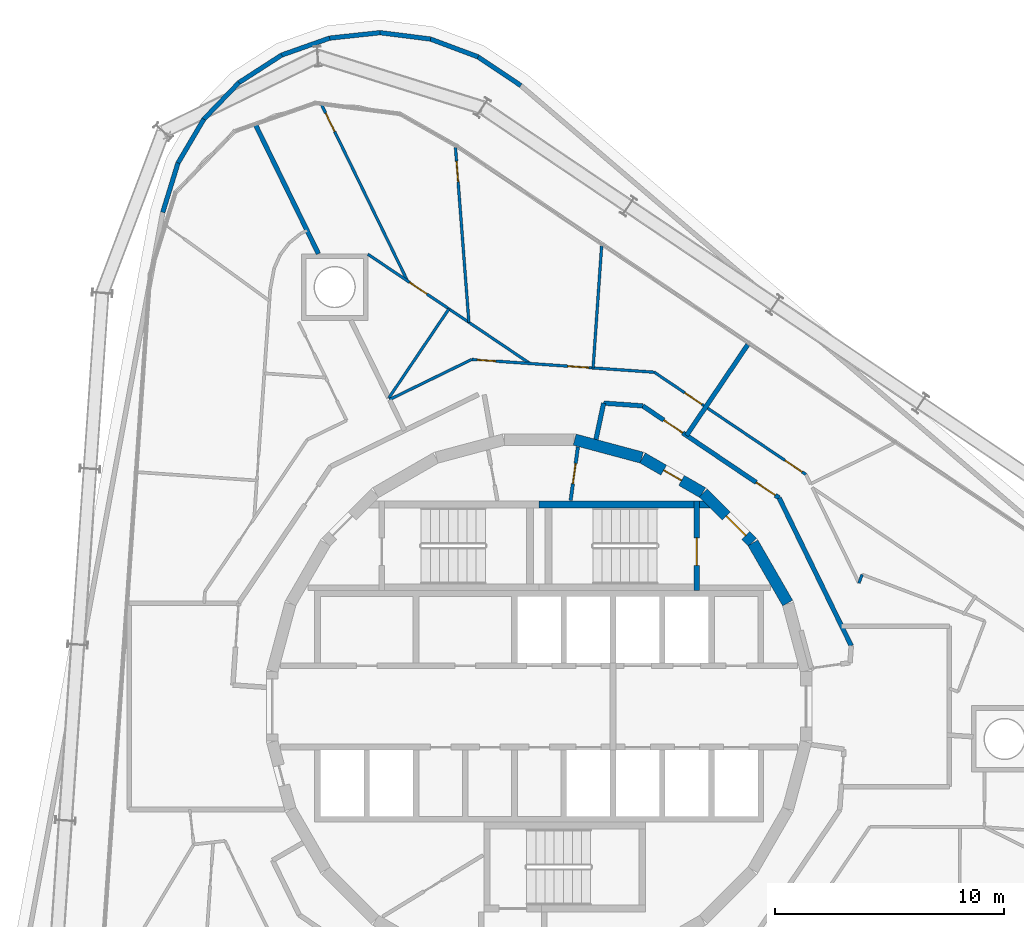
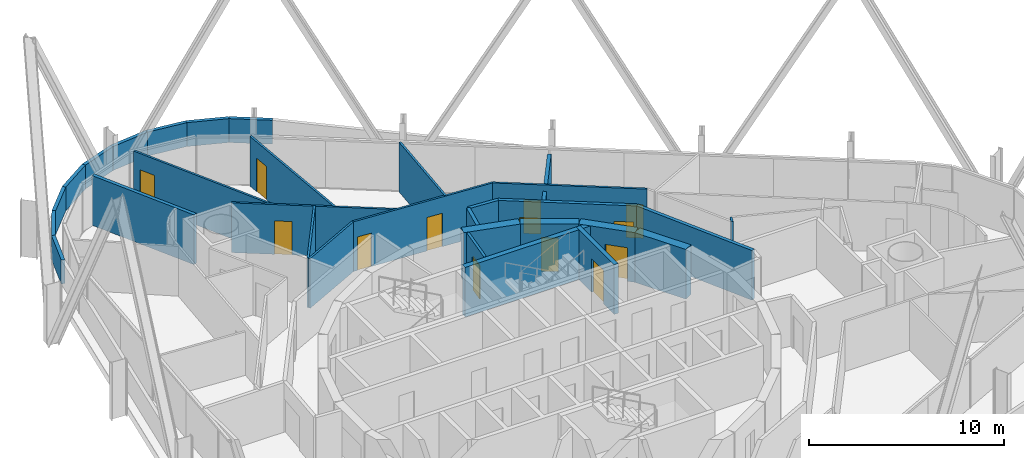
# One storey, part 16 of 18: 32 walls, 13 doors, 13 openings.
"""IFC4 building model written with IfcOpenShell, lengths in metres."""

from ifc_helpers import new_model, si_unit, direction, frame, frame_2d, origin, place, context, subcontext, project, spatial, polyline, rectangle, outline, extrude, material, layer, layer_set, type_object, element, fill, save


model = new_model("IFC4")

# Units and contexts
model_context = context("Model", 3, precision=1e-05, world=origin(), true_north=direction((0.0, 1.0)))
body_context = subcontext(model_context, "Body", "Model", "MODEL_VIEW")
ifc_project = project(units=[si_unit("LENGTHUNIT", "METRE"), si_unit("AREAUNIT", "SQUARE_METRE"), si_unit("VOLUMEUNIT", "CUBIC_METRE"), si_unit("PLANEANGLEUNIT", "RADIAN"), si_unit("MASSUNIT", "GRAM", prefix="KILO")], contexts=[model_context])

# Site, building, storey
site_placement = place(None, origin())
site = spatial("IfcSite", under=ifc_project, at=site_placement, CompositionType="ELEMENT")
building_placement = place(site_placement, origin())
building = spatial("IfcBuilding", under=site, at=building_placement, Name="Spindle Arch Residences", CompositionType="ELEMENT")
storey_placement = place(building_placement, frame((0.0, 0.0, 188.39990234375)))
storey = spatial("IfcBuildingStorey", under=building, at=storey_placement, Name="L47", CompositionType="ELEMENT", Elevation=188.39990234375)

# Wall
ifc_material_1 = material(Name="Concrete C50/60", Category="concrete")
ifc_layer_1 = layer(ifc_material_1, 0.5)
ifc_layer_set_1 = layer_set([ifc_layer_1], Name="Core outline wall 500")
wall_type_1 = type_object("IfcWallType", Name="Core outline wall 500", PredefinedType="SHEAR", material=ifc_layer_set_1)
wall_1_placement = place(storey_placement, frame((10.84521484375, 4.510498046875, 0.0), z_axis=(0.0, 0.0, 1.0), x_axis=(-0.500087131594, 0.865975092491, 0.0)))
element("IfcWall", 1, at=wall_1_placement, inside=storey, type_object=wall_type_1, Name="Core outline wall 8", PredefinedType="SHEAR", context=body_context, shape_type="SweptSolid", body=[
    extrude(rectangle(XDim=3.03271484375, YDim=0.5, at=frame_2d((1.516357421875, 0.0))), origin(), (0.0, 0.0, 1.0), 3.1201171875),
])

# Wall, opening, door
wall_2_placement = place(storey_placement, frame((9.30810546875, 7.163818359375, 0.0), z_axis=(0.0, 0.0, 1.0), x_axis=(-0.707106781187, 0.707106781187, 0.0)))
wall_2 = element("IfcWall", 2, at=wall_2_placement, inside=storey, type_object=wall_type_1, Name="Core outline wall 9", PredefinedType="SHEAR", context=body_context, shape_type="SweptSolid", body=[
    extrude(rectangle(XDim=3.032470703125, YDim=0.5, at=frame_2d((1.51611328125, 0.0))), origin(), (0.0, 0.0, 1.0), 3.1201171875),
])
opening_1_placement = place(wall_2_placement, frame((0.416259765625, 0.0, 0.0)))
opening_1 = element("IfcOpeningElement", 3, at=opening_1_placement, cuts=wall_2, Name="Opening R5A0-AD01", PredefinedType="OPENING", context=body_context, shape_type="SweptSolid", body=[
    extrude(rectangle(XDim=1.199951171875, YDim=2.10009765625, at=frame_2d((0.60009765625, 1.050048828125))), frame((0.0, 0.260009765625, 0.0), z_axis=(0.0, -1.0, 0.0), x_axis=(1.0, 0.0, 0.0)), (0.0, 0.0, 1.0), 0.52001953125),
])
ifc_material_2 = material(Name="Steel, fire-resisting door", Category="steel")
door_type_1 = type_object("IfcDoorType", Name="Stair airlock door 1200x2100", OperationType="SINGLE_SWING_LEFT", PredefinedType="DOOR", material=ifc_material_2)
door_1_placement = place(opening_1_placement, origin())
door_1 = element("IfcDoor", 4, at=door_1_placement, inside=storey, type_object=door_type_1, Name="Stair airlock door R5A0-AD01", OperationType="SINGLE_SWING_RIGHT", OverallHeight=2.10009765625, OverallWidth=1.199951171875, PredefinedType="DOOR", context=body_context, shape_type="SweptSolid", body=[
    extrude(rectangle(XDim=1.199951171875, YDim=2.10009765625, at=frame_2d((0.60009765625, 1.050048828125))), frame((0.0, 0.02490234375, 0.0), z_axis=(0.0, -1.0, 0.0), x_axis=(1.0, 0.0, 0.0)), (0.0, 0.0, 1.0), 0.050048828125),
])
fill(opening_1, door_1)

wall_3_placement = place(storey_placement, frame((7.13671875, 9.32861328125, 0.0), z_axis=(0.0, 0.0, 1.0), x_axis=(-0.865975092491, 0.500087131594, 0.0)))
wall_3 = element("IfcWall", 5, at=wall_3_placement, inside=storey, type_object=wall_type_1, Name="Core outline wall 10", PredefinedType="SHEAR", context=body_context, shape_type="SweptSolid", body=[
    extrude(rectangle(XDim=3.03271484375, YDim=0.5, at=frame_2d((1.516357421875, 0.0))), origin(), (0.0, 0.0, 1.0), 3.1201171875),
])
opening_2_placement = place(wall_3_placement, frame((1.06640625, 0.0, 0.0)))
opening_2 = element("IfcOpeningElement", 6, at=opening_2_placement, cuts=wall_3, Name="Opening R5A0-WD12", PredefinedType="OPENING", context=body_context, shape_type="SweptSolid", body=[
    extrude(rectangle(XDim=0.89990234375, YDim=2.10009765625, at=frame_2d((0.449951171875, 1.050048828125))), frame((0.0, 0.260009765625, 0.0), z_axis=(0.0, -1.0, 0.0), x_axis=(1.0, 0.0, 0.0)), (0.0, 0.0, 1.0), 0.52001953125),
])
ifc_material_3 = material(Name="Steel, fire-resisting door", Category="steel")
door_type_2 = type_object("IfcDoorType", Name="Service room door 900x2100", OperationType="SINGLE_SWING_LEFT", PredefinedType="DOOR", material=ifc_material_3)
door_2_placement = place(opening_2_placement, origin())
door_2 = element("IfcDoor", 7, at=door_2_placement, inside=storey, type_object=door_type_2, Name="Service room door R5A0-WD12", OperationType="SINGLE_SWING_RIGHT", OverallHeight=2.10009765625, OverallWidth=0.89990234375, PredefinedType="DOOR", context=body_context, shape_type="SweptSolid", body=[
    extrude(rectangle(XDim=0.89990234375, YDim=2.10009765625, at=frame_2d((0.449951171875, 1.050048828125))), frame((0.0, 0.02490234375, 0.0), z_axis=(0.0, -1.0, 0.0), x_axis=(1.0, 0.0, 0.0)), (0.0, 0.0, 1.0), 0.050048828125),
])
fill(opening_2, door_2)

# Wall
wall_4_placement = place(storey_placement, frame((4.479248046875, 10.858154296875, 0.0), z_axis=(0.0, 0.0, 1.0), x_axis=(-0.965948410781, 0.258734743916, 0.0)))
element("IfcWall", 8, at=wall_4_placement, inside=storey, type_object=wall_type_1, Name="Core outline wall 11", PredefinedType="SHEAR", context=body_context, shape_type="SweptSolid", body=[
    extrude(rectangle(XDim=3.03271484375, YDim=0.5, at=frame_2d((1.516357421875, 0.0))), origin(), (0.0, 0.0, 1.0), 3.1201171875),
])

# Wall, openings, doors
ifc_material_4 = material(Name="Calcium silicate block, plastered")
ifc_layer_2 = layer(ifc_material_4, 0.199951171875)
ifc_layer_set_2 = layer_set([ifc_layer_2], Name="Corridor wall 200")
wall_type_2 = type_object("IfcWallType", Name="Corridor wall 200", PredefinedType="STANDARD", material=ifc_layer_set_2)
wall_5_placement = place(storey_placement, frame((10.469970703125, 9.101318359375, 0.0), z_axis=(0.0, 0.0, 1.0), x_axis=(-0.829035841718, 0.559195469534, 0.0)))
wall_5 = element("IfcWall", 9, at=wall_5_placement, inside=storey, type_object=wall_type_2, Name="Corridor wall R5A0-W005", PredefinedType="STANDARD", context=body_context, shape_type="SweptSolid", body=[
    extrude(rectangle(XDim=7.18115234375, YDim=0.199951171875, at=frame_2d((3.590576171875, 0.0))), origin(), (0.0, 0.0, 1.0), 3.1201171875),
])
opening_3_placement = place(wall_5_placement, frame((0.199951171875, 0.0, 0.0)))
opening_3 = element("IfcOpeningElement", 10, at=opening_3_placement, cuts=wall_5, Name="Opening R5A0-FD01", PredefinedType="OPENING", context=body_context, shape_type="SweptSolid", body=[
    extrude(rectangle(XDim=1.0, YDim=2.10009765625, at=frame_2d((0.5, 1.050048828125))), frame((0.0, 0.10986328125, 0.0), z_axis=(0.0, -1.0, 0.0), x_axis=(1.0, 0.0, 0.0)), (0.0, 0.0, 1.0), 0.219970703125),
])
opening_4_placement = place(wall_5_placement, frame((5.07275390625, 0.0, 0.0)))
opening_4 = element("IfcOpeningElement", 11, at=opening_4_placement, cuts=wall_5, Name="Opening R5A0-FD02", PredefinedType="OPENING", context=body_context, shape_type="SweptSolid", body=[
    extrude(rectangle(XDim=1.0, YDim=2.10009765625, at=frame_2d((0.5, 1.050048828125))), frame((0.0, 0.10986328125, 0.0), z_axis=(0.0, -1.0, 0.0), x_axis=(1.0, 0.0, 0.0)), (0.0, 0.0, 1.0), 0.219970703125),
])
ifc_material_5 = material(Name="Timber, fire-resisting door set", Category="wood")
door_type_3 = type_object("IfcDoorType", Name="Flat entrance door 1000x2100", OperationType="NOTDEFINED", PredefinedType="DOOR", material=ifc_material_5)
door_3_placement = place(opening_3_placement, origin())
door_3 = element("IfcDoor", 12, at=door_3_placement, inside=storey, type_object=door_type_3, Name="Flat entrance door R5A0-FD01", OperationType="SINGLE_SWING_LEFT", OverallHeight=2.10009765625, OverallWidth=1.0, PredefinedType="DOOR", context=body_context, shape_type="SweptSolid", body=[
    extrude(rectangle(XDim=1.0, YDim=2.10009765625, at=frame_2d((0.5, 1.050048828125))), frame((0.0, 0.02490234375, 0.0), z_axis=(0.0, -1.0, 0.0), x_axis=(1.0, 0.0, 0.0)), (0.0, 0.0, 1.0), 0.050048828125),
])
fill(opening_3, door_3)
door_4_placement = place(opening_4_placement, origin())
door_4 = element("IfcDoor", 13, at=door_4_placement, inside=storey, type_object=door_type_3, Name="Flat entrance door R5A0-FD02", OperationType="SINGLE_SWING_RIGHT", OverallHeight=2.10009765625, OverallWidth=1.0, PredefinedType="DOOR", context=body_context, shape_type="SweptSolid", body=[
    extrude(rectangle(XDim=1.0, YDim=2.10009765625, at=frame_2d((0.5, 1.050048828125))), frame((0.0, 0.02490234375, 0.0), z_axis=(0.0, -1.0, 0.0), x_axis=(1.0, 0.0, 0.0)), (0.0, 0.0, 1.0), 0.050048828125),
])
fill(opening_4, door_4)

# Walls
wall_6_placement = place(storey_placement, frame((4.5166015625, 13.116943359375, 0.0), z_axis=(0.0, 0.0, 1.0), x_axis=(-0.997562153664, 0.069783591025, 0.0)))
element("IfcWall", 14, at=wall_6_placement, inside=storey, type_object=wall_type_2, Name="Corridor wall R5A0-W006", PredefinedType="STANDARD", context=body_context, shape_type="SweptSolid", body=[
    extrude(rectangle(XDim=1.707275390625, YDim=0.199951171875, at=frame_2d((0.853515625, 0.0))), origin(), (0.0, 0.0, 1.0), 3.1201171875),
])
wall_7_placement = place(storey_placement, frame((2.8134765625, 13.236083984375, 0.0), z_axis=(0.0, 0.0, 1.0), x_axis=(-0.207911086063, -0.978147729278, 0.0)))
element("IfcWall", 15, at=wall_7_placement, inside=storey, type_object=wall_type_2, Name="Corridor wall R5A0-W007", PredefinedType="STANDARD", context=body_context, shape_type="SweptSolid", body=[
    extrude(rectangle(XDim=1.6181640625, YDim=0.199951171875, at=frame_2d((0.80908203125, 0.0))), origin(), (0.0, 0.0, 1.0), 3.1201171875),
])
ifc_material_6 = material(Name="Calcium silicate block, plastered")
ifc_layer_3 = layer(ifc_material_6, 0.199951171875)
ifc_layer_set_3 = layer_set([ifc_layer_3], Name="Fire-lift lobby bay wall 200")
wall_type_3 = type_object("IfcWallType", Name="Fire-lift lobby bay wall 200", PredefinedType="STANDARD", material=ifc_layer_set_3)
wall_8_placement = place(storey_placement, frame((13.617919921875, 2.64697265625, 0.0), z_axis=(0.0, 0.0, 1.0), x_axis=(-0.438366026218, 0.898796543751, 0.0)))
element("IfcWall", 16, at=wall_8_placement, inside=storey, type_object=wall_type_3, Name="Fire-lift lobby bay wall R5A0-W004", PredefinedType="STANDARD", context=body_context, shape_type="SweptSolid", body=[
    extrude(rectangle(XDim=7.18115234375, YDim=0.199951171875, at=frame_2d((3.590576171875, 0.0))), origin(), (0.0, 0.0, 1.0), 3.1201171875),
])
ifc_material_7 = material(Name="Plasterboard on steel studs", Category="steel")
ifc_layer_4 = layer(ifc_material_7, 0.1201171875)
ifc_layer_set_4 = layer_set([ifc_layer_4], Name="Flat partition 120")
wall_type_4 = type_object("IfcWallType", Name="Flat partition 120", PredefinedType="PARTITIONING", material=ifc_layer_set_4)
wall_9_placement = place(storey_placement, frame((14.094482421875, 5.755615234375, 0.0), z_axis=(0.0, 0.0, 1.0), x_axis=(-0.354267529254, -0.935144116014, 0.0)))
element("IfcWall", 17, at=wall_9_placement, inside=storey, type_object=wall_type_4, Name="Flat partition R5A0-W039", PredefinedType="PARTITIONING", context=body_context, shape_type="SweptSolid", body=[
    extrude(rectangle(XDim=0.399658203125, YDim=0.1201171875, at=frame_2d((0.19970703125, 0.0))), origin(), (0.0, 0.0, 1.0), 3.1201171875),
])

# Wall, openings, doors
wall_10_placement = place(storey_placement, frame((11.641845703125, 10.1201171875, 0.0), z_axis=(0.0, 0.0, 1.0), x_axis=(-0.829032241779, 0.55920080659, 0.0)))
wall_10 = element("IfcWall", 18, at=wall_10_placement, inside=storey, type_object=wall_type_4, Name="Flat partition R5A0-W042", PredefinedType="PARTITIONING", context=body_context, shape_type="SweptSolid", body=[
    extrude(rectangle(XDim=7.98486328125, YDim=0.1201171875, at=frame_2d((3.992431640625, 0.0))), origin(), (0.0, 0.0, 1.0), 3.1201171875),
])
opening_5_placement = place(wall_10_placement, frame((0.199951171875, 0.0, 0.0)))
opening_5 = element("IfcOpeningElement", 19, at=opening_5_placement, cuts=wall_10, Name="Opening R5A0-ID02", PredefinedType="OPENING", context=body_context, shape_type="SweptSolid", body=[
    extrude(rectangle(XDim=0.89990234375, YDim=2.10009765625, at=frame_2d((0.449951171875, 1.050048828125))), frame((0.0, 0.070068359375, 0.0), z_axis=(0.0, -1.0, 0.0), x_axis=(1.0, 0.0, 0.0)), (0.0, 0.0, 1.0), 0.14013671875),
])
opening_6_placement = place(wall_10_placement, frame((5.474853515625, 0.0, 0.0)))
opening_6 = element("IfcOpeningElement", 20, at=opening_6_placement, cuts=wall_10, Name="Opening R5A0-ID05", PredefinedType="OPENING", context=body_context, shape_type="SweptSolid", body=[
    extrude(rectangle(XDim=0.89990234375, YDim=2.10009765625, at=frame_2d((0.449951171875, 1.050048828125))), frame((0.0, 0.070068359375, 0.0), z_axis=(0.0, -1.0, 0.0), x_axis=(1.0, 0.0, 0.0)), (0.0, 0.0, 1.0), 0.14013671875),
])
ifc_material_8 = material(Name="Timber door set", Category="wood")
door_type_4 = type_object("IfcDoorType", Name="Room door 900x2100", OperationType="NOTDEFINED", PredefinedType="DOOR", material=ifc_material_8)
door_5_placement = place(opening_5_placement, origin())
door_5 = element("IfcDoor", 21, at=door_5_placement, inside=storey, type_object=door_type_4, Name="Room door R5A0-ID02", OperationType="SINGLE_SWING_LEFT", OverallHeight=2.10009765625, OverallWidth=0.89990234375, PredefinedType="DOOR", context=body_context, shape_type="SweptSolid", body=[
    extrude(rectangle(XDim=0.89990234375, YDim=2.10009765625, at=frame_2d((0.449951171875, 1.050048828125))), frame((0.0, 0.02490234375, 0.0), z_axis=(0.0, -1.0, 0.0), x_axis=(1.0, 0.0, 0.0)), (0.0, 0.0, 1.0), 0.050048828125),
])
fill(opening_5, door_5)
door_6_placement = place(opening_6_placement, origin())
door_6 = element("IfcDoor", 22, at=door_6_placement, inside=storey, type_object=door_type_4, Name="Room door R5A0-ID05", OperationType="SINGLE_SWING_RIGHT", OverallHeight=2.10009765625, OverallWidth=0.89990234375, PredefinedType="DOOR", context=body_context, shape_type="SweptSolid", body=[
    extrude(rectangle(XDim=0.89990234375, YDim=2.10009765625, at=frame_2d((0.449951171875, 1.050048828125))), frame((0.0, 0.02490234375, 0.0), z_axis=(0.0, -1.0, 0.0), x_axis=(1.0, 0.0, 0.0)), (0.0, 0.0, 1.0), 0.050048828125),
])
fill(opening_6, door_6)

wall_11_placement = place(storey_placement, frame((5.022216796875, 14.585205078125, 0.0), z_axis=(0.0, 0.0, 1.0), x_axis=(-0.997565118395, 0.069741197017, 0.0)))
wall_11 = element("IfcWall", 23, at=wall_11_placement, inside=storey, type_object=wall_type_4, Name="Flat partition R5A0-W052", PredefinedType="PARTITIONING", context=body_context, shape_type="SweptSolid", body=[
    extrude(rectangle(XDim=7.985107421875, YDim=0.1201171875, at=frame_2d((3.99267578125, 0.0))), origin(), (0.0, 0.0, 1.0), 3.1201171875),
])
opening_7_placement = place(wall_11_placement, frame((2.87548828125, 0.0, 0.0)))
opening_7 = element("IfcOpeningElement", 24, at=opening_7_placement, cuts=wall_11, Name="Opening R5A0-ID06", PredefinedType="OPENING", context=body_context, shape_type="SweptSolid", body=[
    extrude(rectangle(XDim=0.89990234375, YDim=2.10009765625, at=frame_2d((0.449951171875, 1.050048828125))), frame((0.0, 0.070068359375, 0.0), z_axis=(0.0, -1.0, 0.0), x_axis=(1.0, 0.0, 0.0)), (0.0, 0.0, 1.0), 0.14013671875),
])
opening_8_placement = place(wall_11_placement, frame((6.9384765625, 0.0, 0.0)))
opening_8 = element("IfcOpeningElement", 25, at=opening_8_placement, cuts=wall_11, Name="Opening R5A0-BD02", PredefinedType="OPENING", context=body_context, shape_type="SweptSolid", body=[
    extrude(rectangle(XDim=0.800048828125, YDim=2.10009765625, at=frame_2d((0.39990234375, 1.050048828125))), frame((0.0, 0.070068359375, 0.0), z_axis=(0.0, -1.0, 0.0), x_axis=(1.0, 0.0, 0.0)), (0.0, 0.0, 1.0), 0.14013671875),
])
ifc_material_9 = material(Name="Timber door set", Category="wood")
door_type_5 = type_object("IfcDoorType", Name="Bathroom door 800x2100", OperationType="NOTDEFINED", PredefinedType="DOOR", material=ifc_material_9)
door_7_placement = place(opening_8_placement, origin())
door_7 = element("IfcDoor", 26, at=door_7_placement, inside=storey, type_object=door_type_5, Name="Bathroom door R5A0-BD02", OperationType="SINGLE_SWING_RIGHT", OverallHeight=2.10009765625, OverallWidth=0.800048828125, PredefinedType="DOOR", context=body_context, shape_type="SweptSolid", body=[
    extrude(rectangle(XDim=0.800048828125, YDim=2.10009765625, at=frame_2d((0.39990234375, 1.050048828125))), frame((0.0, 0.02490234375, 0.0), z_axis=(0.0, -1.0, 0.0), x_axis=(1.0, 0.0, 0.0)), (0.0, 0.0, 1.0), 0.050048828125),
])
fill(opening_8, door_7)
door_8_placement = place(opening_7_placement, origin())
door_8 = element("IfcDoor", 27, at=door_8_placement, inside=storey, type_object=door_type_4, Name="Room door R5A0-ID06", OperationType="SINGLE_SWING_RIGHT", OverallHeight=2.10009765625, OverallWidth=0.89990234375, PredefinedType="DOOR", context=body_context, shape_type="SweptSolid", body=[
    extrude(rectangle(XDim=0.89990234375, YDim=2.10009765625, at=frame_2d((0.449951171875, 1.050048828125))), frame((0.0, 0.02490234375, 0.0), z_axis=(0.0, -1.0, 0.0), x_axis=(1.0, 0.0, 0.0)), (0.0, 0.0, 1.0), 0.050048828125),
])
fill(opening_7, door_8)

# Walls
wall_12_placement = place(storey_placement, frame((-2.943359375, 15.14208984375, 0.0), z_axis=(0.0, 0.0, 1.0), x_axis=(-0.89881075705, -0.438336883014, 0.0)))
element("IfcWall", 28, at=wall_12_placement, inside=storey, type_object=wall_type_4, Name="Flat partition R5A0-W053", PredefinedType="PARTITIONING", context=body_context, shape_type="SweptSolid", body=[
    extrude(rectangle(XDim=3.992431640625, YDim=0.1201171875, at=frame_2d((1.99609375, 0.0))), origin(), (0.0, 0.0, 1.0), 3.1201171875),
])
wall_13_placement = place(storey_placement, frame((2.72509765625, 20.091796875, 0.0), z_axis=(0.0, 0.0, 1.0), x_axis=(-0.069766716578, -0.997563333958, 0.0)))
element("IfcWall", 29, at=wall_13_placement, inside=storey, type_object=wall_type_4, Name="Flat partition R5A0-W054", PredefinedType="PARTITIONING", context=body_context, shape_type="SweptSolid", body=[
    extrude(rectangle(XDim=5.3330078125, YDim=0.1201171875, at=frame_2d((2.66650390625, 0.0))), origin(), (0.0, 0.0, 1.0), 3.1201171875),
])

# Wall, opening, door
wall_14_placement = place(storey_placement, frame((-7.475830078125, 19.735107421875, 0.0), z_axis=(0.0, 0.0, 1.0), x_axis=(0.829035412992, -0.559196105142, 0.0)))
wall_14 = element("IfcWall", 30, at=wall_14_placement, inside=storey, type_object=wall_type_4, Name="Flat partition R5A0-W055", PredefinedType="PARTITIONING", context=body_context, shape_type="SweptSolid", body=[
    extrude(rectangle(XDim=8.531005859375, YDim=0.1201171875, at=frame_2d((4.265625, 0.0))), origin(), (0.0, 0.0, 1.0), 3.1201171875),
])
opening_9_placement = place(wall_14_placement, frame((2.20361328125, 0.0, 0.0)))
opening_9 = element("IfcOpeningElement", 31, at=opening_9_placement, cuts=wall_14, Name="Opening R5A0-ID08", PredefinedType="OPENING", context=body_context, shape_type="SweptSolid", body=[
    extrude(rectangle(XDim=0.89990234375, YDim=2.10009765625, at=frame_2d((0.449951171875, 1.050048828125))), frame((0.0, 0.070068359375, 0.0), z_axis=(0.0, -1.0, 0.0), x_axis=(1.0, 0.0, 0.0)), (0.0, 0.0, 1.0), 0.14013671875),
])
door_9_placement = place(opening_9_placement, origin())
door_9 = element("IfcDoor", 32, at=door_9_placement, inside=storey, type_object=door_type_4, Name="Room door R5A0-ID08", OperationType="SINGLE_SWING_LEFT", OverallHeight=2.10009765625, OverallWidth=0.89990234375, PredefinedType="DOOR", context=body_context, shape_type="SweptSolid", body=[
    extrude(rectangle(XDim=0.89990234375, YDim=2.10009765625, at=frame_2d((0.449951171875, 1.050048828125))), frame((0.0, 0.02490234375, 0.0), z_axis=(0.0, -1.0, 0.0), x_axis=(1.0, 0.0, 0.0)), (0.0, 0.0, 1.0), 0.050048828125),
])
fill(opening_9, door_9)

wall_15_placement = place(storey_placement, frame((-3.6533203125, 24.39404296875, 0.0), z_axis=(0.0, 0.0, 1.0), x_axis=(0.076513576433, -0.997068539581, 0.0)))
wall_15 = element("IfcWall", 33, at=wall_15_placement, inside=storey, type_object=wall_type_4, Name="Flat partition R5A0-W056", PredefinedType="PARTITIONING", context=body_context, shape_type="SweptSolid", body=[
    extrude(rectangle(XDim=7.65478515625, YDim=0.1201171875, at=frame_2d((3.827392578125, 0.0))), origin(), (0.0, 0.0, 1.0), 3.1201171875),
])
opening_10_placement = place(wall_15_placement, frame((0.60009765625, 0.0, 0.0)))
opening_10 = element("IfcOpeningElement", 34, at=opening_10_placement, cuts=wall_15, Name="Opening R5A0-ID07", PredefinedType="OPENING", context=body_context, shape_type="SweptSolid", body=[
    extrude(rectangle(XDim=0.89990234375, YDim=2.10009765625, at=frame_2d((0.449951171875, 1.050048828125))), frame((0.0, 0.070068359375, 0.0), z_axis=(0.0, -1.0, 0.0), x_axis=(1.0, 0.0, 0.0)), (0.0, 0.0, 1.0), 0.14013671875),
])
door_10_placement = place(opening_10_placement, origin())
door_10 = element("IfcDoor", 35, at=door_10_placement, inside=storey, type_object=door_type_4, Name="Room door R5A0-ID07", OperationType="SINGLE_SWING_RIGHT", OverallHeight=2.10009765625, OverallWidth=0.89990234375, PredefinedType="DOOR", context=body_context, shape_type="SweptSolid", body=[
    extrude(rectangle(XDim=0.89990234375, YDim=2.10009765625, at=frame_2d((0.449951171875, 1.050048828125))), frame((0.0, 0.02490234375, 0.0), z_axis=(0.0, -1.0, 0.0), x_axis=(1.0, 0.0, 0.0)), (0.0, 0.0, 1.0), 0.050048828125),
])
fill(opening_10, door_10)

# Wall
wall_16_placement = place(storey_placement, frame((-3.939453125, 17.349853515625, 0.0), z_axis=(0.0, 0.0, 1.0), x_axis=(-0.559193216274, -0.829037361566, 0.0)))
element("IfcWall", 36, at=wall_16_placement, inside=storey, type_object=wall_type_4, Name="Flat partition R5A0-W057", PredefinedType="PARTITIONING", context=body_context, shape_type="SweptSolid", body=[
    extrude(rectangle(XDim=4.69384765625, YDim=0.1201171875, at=frame_2d((2.346923828125, 0.0))), origin(), (0.0, 0.0, 1.0), 3.1201171875),
])

# Wall, opening, door
wall_17_placement = place(storey_placement, frame((-9.49609375, 26.25390625, 0.0), z_axis=(0.0, 0.0, 1.0), x_axis=(0.438361739807, -0.89879863433, 0.0)))
wall_17 = element("IfcWall", 37, at=wall_17_placement, inside=storey, type_object=wall_type_4, Name="Flat partition R5A0-W058", PredefinedType="PARTITIONING", context=body_context, shape_type="SweptSolid", body=[
    extrude(rectangle(XDim=8.549072265625, YDim=0.1201171875, at=frame_2d((4.2744140625, 0.0))), origin(), (0.0, 0.0, 1.0), 3.1201171875),
])
opening_11_placement = place(wall_17_placement, frame((0.39990234375, 0.0, 0.0)))
opening_11 = element("IfcOpeningElement", 38, at=opening_11_placement, cuts=wall_17, Name="Opening R5A0-ID09", PredefinedType="OPENING", context=body_context, shape_type="SweptSolid", body=[
    extrude(rectangle(XDim=0.89990234375, YDim=2.10009765625, at=frame_2d((0.449951171875, 1.050048828125))), frame((0.0, 0.070068359375, 0.0), z_axis=(0.0, -1.0, 0.0), x_axis=(1.0, 0.0, 0.0)), (0.0, 0.0, 1.0), 0.14013671875),
])
door_11_placement = place(opening_11_placement, origin())
door_11 = element("IfcDoor", 39, at=door_11_placement, inside=storey, type_object=door_type_4, Name="Room door R5A0-ID09", OperationType="SINGLE_SWING_RIGHT", OverallHeight=2.10009765625, OverallWidth=0.89990234375, PredefinedType="DOOR", context=body_context, shape_type="SweptSolid", body=[
    extrude(rectangle(XDim=0.89990234375, YDim=2.10009765625, at=frame_2d((0.449951171875, 1.050048828125))), frame((0.0, 0.02490234375, 0.0), z_axis=(0.0, -1.0, 0.0), x_axis=(1.0, 0.0, 0.0)), (0.0, 0.0, 1.0), 0.050048828125),
])
fill(opening_11, door_11)

# Walls
ifc_material_10 = material(Name="Calcium silicate block, plastered")
ifc_layer_5 = layer(ifc_material_10, 0.199951171875)
ifc_layer_set_5 = layer_set([ifc_layer_5], Name="Flat party wall 200")
wall_type_5 = type_object("IfcWallType", Name="Flat party wall 200", PredefinedType="STANDARD", material=ifc_layer_set_5)
wall_18_placement = place(storey_placement, frame((-12.4091796875, 25.4423828125, 0.0), z_axis=(0.0, 0.0, 1.0), x_axis=(0.43838641251, -0.898786600549, 0.0)))
element("IfcWall", 40, at=wall_18_placement, inside=storey, type_object=wall_type_5, Name="Flat party wall R5A0-W032", PredefinedType="STANDARD", context=body_context, shape_type="SweptSolid", body=[
    extrude(rectangle(XDim=6.33251953125, YDim=0.199951171875, at=frame_2d((3.166259765625, 0.0))), origin(), (0.0, 0.0, 1.0), 3.1201171875),
])
ifc_material_11 = material(Name="Calcium silicate block, plastered")
ifc_layer_6 = layer(ifc_material_11, 0.199951171875)
ifc_layer_set_6 = layer_set([ifc_layer_6], Name="Flat party wall 200 under beam 2730")
wall_type_6 = type_object("IfcWallType", Name="Flat party wall 200 under beam 2730", PredefinedType="STANDARD", material=ifc_layer_set_6)
wall_19_placement = place(storey_placement, frame((9.103515625, 15.78955078125, 0.0), z_axis=(0.0, 0.0, 1.0), x_axis=(-0.559193912135, -0.829036892201, 0.0)))
element("IfcWall", 41, at=wall_19_placement, inside=storey, type_object=wall_type_6, Name="Flat party wall R5A0-W027", PredefinedType="STANDARD", context=body_context, shape_type="SweptSolid", body=[
    extrude(rectangle(XDim=4.78076171875, YDim=0.199951171875, at=frame_2d((2.390380859375, 0.0))), origin(), (0.0, 0.0, 1.0), 2.72998046875),
])
ifc_material_12 = material(Name="Concrete C40/50", Category="concrete")
ifc_layer_7 = layer(ifc_material_12, 0.199951171875)
ifc_layer_set_7 = layer_set([ifc_layer_7], Name="Roof parapet 1500")
wall_type_7 = type_object("IfcWallType", Name="Roof parapet 1500", PredefinedType="PARAPET", material=ifc_layer_set_7)
wall_20_placement = place(storey_placement, frame((-16.4287109375, 21.563720703125, 0.030029296875), z_axis=(0.0, 0.0, 1.0), x_axis=(0.295126785962, 0.955458099661, 0.0)))
element("IfcWall", 42, at=wall_20_placement, inside=storey, type_object=wall_type_7, Name="Roof parapet L46 1.12", PredefinedType="PARAPET", context=body_context, shape_type="SweptSolid", body=[
    extrude(rectangle(XDim=2.257568359375, YDim=0.199951171875, at=frame_2d((1.12890625, 0.0))), origin(), (0.0, 0.0, 1.0), 1.5),
])
wall_21_placement = place(storey_placement, frame((-15.76708984375, 23.7099609375, 0.030029296875), z_axis=(0.0, 0.0, 1.0), x_axis=(0.507518026162, 0.861641139408, 0.0)))
element("IfcWall", 43, at=wall_21_placement, inside=storey, type_object=wall_type_7, Name="Roof parapet L46 1.13", PredefinedType="PARAPET", context=body_context, shape_type="SweptSolid", body=[
    extrude(rectangle(XDim=2.228271484375, YDim=0.199951171875, at=frame_2d((1.1142578125, 0.0))), origin(), (0.0, 0.0, 1.0), 1.5),
])
for number, where, z_axis, x_axis, name in (
    (44, (-14.643310546875, 25.62060546875, 0.030029296875), (0.0, 0.0, 1.0), (0.692607092716, 0.72131505954, 0.0), "Roof parapet L46 1.14"),
    (45, (-13.10888671875, 27.220458984375, 0.030029296875), (0.0, 0.0, 1.0), (0.840201634952, 0.542274112073, 0.0), "Roof parapet L46 1.15"),
):
    element("IfcWall", number, at=place(storey_placement, frame(where, z_axis=z_axis, x_axis=x_axis)), inside=storey, type_object=wall_type_7, Name=name, PredefinedType="PARAPET", context=body_context, shape_type="SweptSolid", body=[
        extrude(rectangle(XDim=2.22802734375, YDim=0.199951171875, at=frame_2d((1.114013671875, 0.0))), origin(), (0.0, 0.0, 1.0), 1.5),
    ])
for number, where, z_axis, x_axis, name in (
    (46, (-11.247314453125, 28.423583984375, 0.030029296875), (0.0, 0.0, 1.0), (0.942670315303, 0.333725451001, 0.0), "Roof parapet L46 1.16"),
    (47, (-9.158203125, 29.164794921875, 0.030029296875), (0.0, 0.0, 1.0), (0.994218433871, 0.107376467401, 0.0), "Roof parapet L46 1.17"),
):
    element("IfcWall", number, at=place(storey_placement, frame(where, z_axis=z_axis, x_axis=x_axis)), inside=storey, type_object=wall_type_7, Name=name, PredefinedType="PARAPET", context=body_context, shape_type="SweptSolid", body=[
        extrude(rectangle(XDim=2.228271484375, YDim=0.199951171875, at=frame_2d((1.1142578125, 0.0))), origin(), (0.0, 0.0, 1.0), 1.5),
    ])
wall_22_placement = place(storey_placement, frame((-6.954345703125, 29.404296875, 0.030029296875), z_axis=(0.0, 0.0, 1.0), x_axis=(0.992181492072, -0.124803392542, 0.0)))
element("IfcWall", 48, at=wall_22_placement, inside=storey, type_object=wall_type_7, Name="Roof parapet L46 1.18", PredefinedType="PARAPET", context=body_context, shape_type="SweptSolid", body=[
    extrude(rectangle(XDim=2.22802734375, YDim=0.199951171875, at=frame_2d((1.114013671875, 0.0))), origin(), (0.0, 0.0, 1.0), 1.5),
])
wall_23_placement = place(storey_placement, frame((-4.7548828125, 29.12890625, 0.030029296875), z_axis=(0.0, 0.0, 1.0), x_axis=(0.936684413128, -0.350174685268, 0.0)))
element("IfcWall", 49, at=wall_23_placement, inside=storey, type_object=wall_type_7, Name="Roof parapet L46 1.19", PredefinedType="PARAPET", context=body_context, shape_type="SweptSolid", body=[
    extrude(rectangle(XDim=2.228271484375, YDim=0.199951171875, at=frame_2d((1.1142578125, 0.0))), origin(), (0.0, 0.0, 1.0), 1.5),
])
wall_24_placement = place(storey_placement, frame((-2.67822265625, 28.35400390625, 0.030029296875), z_axis=(0.0, 0.0, 1.0), x_axis=(0.830633434744, -0.556819627066, 0.0)))
element("IfcWall", 50, at=wall_24_placement, inside=storey, type_object=wall_type_7, Name="Roof parapet L46 1.20", PredefinedType="PARAPET", context=body_context, shape_type="SweptSolid", body=[
    extrude(rectangle(XDim=2.257568359375, YDim=0.199951171875, at=frame_2d((1.12890625, 0.0))), origin(), (0.0, 0.0, 1.0), 1.5),
])

# Wall, opening, door
ifc_material_13 = material(Name="Concrete C25/30", Category="concrete")
ifc_layer_8 = layer(ifc_material_13, 0.14990234375)
ifc_layer_set_8 = layer_set([ifc_layer_8], Name="Service room partition 150")
wall_type_8 = type_object("IfcWallType", Name="Service room partition 150", PredefinedType="PARTITIONING", material=ifc_layer_set_8)
wall_25_placement = place(storey_placement, frame((1.69091796875, 11.32568359375, 0.0), z_axis=(0.0, 0.0, 1.0), x_axis=(-0.135344253201, -0.990798633994, 0.0)))
wall_25 = element("IfcWall", 51, at=wall_25_placement, inside=storey, type_object=wall_type_8, Name="Core service room partition", PredefinedType="PARTITIONING", context=body_context, shape_type="SweptSolid", body=[
    extrude(rectangle(XDim=2.357666015625, YDim=0.14990234375, at=frame_2d((1.1787109375, 0.0))), origin(), (0.0, 0.0, 1.0), 3.1201171875),
])
opening_12_placement = place(wall_25_placement, frame((0.728759765625, 0.0, 0.0)))
opening_12 = element("IfcOpeningElement", 52, at=opening_12_placement, cuts=wall_25, Name="Opening R5A0-WD08", PredefinedType="OPENING", context=body_context, shape_type="SweptSolid", body=[
    extrude(rectangle(XDim=0.89990234375, YDim=2.10009765625, at=frame_2d((0.449951171875, 1.050048828125))), frame((0.0, 0.0849609375, 0.0), z_axis=(0.0, -1.0, 0.0), x_axis=(1.0, 0.0, 0.0)), (0.0, 0.0, 1.0), 0.169921875),
])
door_12_placement = place(opening_12_placement, origin())
door_12 = element("IfcDoor", 53, at=door_12_placement, inside=storey, type_object=door_type_2, Name="Service room door R5A0-WD08", OperationType="SINGLE_SWING_RIGHT", OverallHeight=2.10009765625, OverallWidth=0.89990234375, PredefinedType="DOOR", context=body_context, shape_type="SweptSolid", body=[
    extrude(rectangle(XDim=0.89990234375, YDim=2.10009765625, at=frame_2d((0.449951171875, 1.050048828125))), frame((0.0, 0.02490234375, 0.0), z_axis=(0.0, -1.0, 0.0), x_axis=(1.0, 0.0, 0.0)), (0.0, 0.0, 1.0), 0.050048828125),
])
fill(opening_12, door_12)

# Wall
ifc_material_14 = material(Name="Concrete C40/50", Category="concrete")
wall_type_9 = type_object("IfcWallType", Name="Stair airlock wall profile", PredefinedType="SHEAR", material=ifc_material_14)
wall_26_placement = place(storey_placement, origin())
element("IfcWall", 54, at=wall_26_placement, inside=storey, type_object=wall_type_9, Name="Stair ST-1 airlock wall N", PredefinedType="SHEAR", context=body_context, shape_type="SweptSolid", body=[
    extrude(outline(polyline([(7.4482421875, 8.669921875), (7.0, 8.669921875), (7.0, 8.969970703125), (7.148193359375, 8.969970703125), (7.4482421875, 8.669921875)])), origin(), (0.0, 0.0, 1.0), 3.1201171875),
])

# Wall, opening, door
ifc_material_15 = material(Name="Concrete C50/60", Category="concrete")
ifc_layer_9 = layer(ifc_material_15, 0.25)
ifc_layer_set_9 = layer_set([ifc_layer_9], Name="Stair enclosure wall 250")
wall_type_10 = type_object("IfcWallType", Name="Stair enclosure wall 250", PredefinedType="SHEAR", material=ifc_layer_set_9)
wall_27_placement = place(storey_placement, frame((6.875, 5.050048828125, 0.0), z_axis=(0.0, 0.0, 1.0), x_axis=(0.0, 1.0, 0.0)))
wall_27 = element("IfcWall", 55, at=wall_27_placement, inside=storey, type_object=wall_type_10, Name="Stair ST-1 door wall", PredefinedType="SHEAR", context=body_context, shape_type="SweptSolid", body=[
    extrude(rectangle(XDim=3.919921875, YDim=0.25, at=frame_2d((1.9599609375, 0.0))), origin(), (0.0, 0.0, 1.0), 3.1201171875),
])
opening_13_placement = place(wall_27_placement, frame((1.110107421875, 0.0, 0.0)))
opening_13 = element("IfcOpeningElement", 56, at=opening_13_placement, cuts=wall_27, Name="Opening R5A0-SD01", PredefinedType="OPENING", context=body_context, shape_type="SweptSolid", body=[
    extrude(rectangle(XDim=1.199951171875, YDim=2.10009765625, at=frame_2d((0.60009765625, 1.050048828125))), frame((0.0, 0.135009765625, 0.0), z_axis=(0.0, -1.0, 0.0), x_axis=(1.0, 0.0, 0.0)), (0.0, 0.0, 1.0), 0.27001953125),
])
ifc_material_16 = material(Name="Steel, fire-resisting door", Category="steel")
door_type_6 = type_object("IfcDoorType", Name="Stair door 1200x2100", OperationType="SINGLE_SWING_RIGHT", PredefinedType="DOOR", material=ifc_material_16)
door_13_placement = place(opening_13_placement, origin())
door_13 = element("IfcDoor", 57, at=door_13_placement, inside=storey, type_object=door_type_6, Name="Stair door R5A0-SD01", OperationType="SINGLE_SWING_LEFT", OverallHeight=2.10009765625, OverallWidth=1.199951171875, PredefinedType="DOOR", context=body_context, shape_type="SweptSolid", body=[
    extrude(rectangle(XDim=1.199951171875, YDim=2.10009765625, at=frame_2d((0.60009765625, 1.050048828125))), frame((0.0, 0.02490234375, 0.0), z_axis=(0.0, -1.0, 0.0), x_axis=(1.0, 0.0, 0.0)), (0.0, 0.0, 1.0), 0.050048828125),
])
fill(opening_13, door_13)

# Wall
ifc_material_17 = material(Name="Concrete C50/60", Category="concrete")
ifc_layer_10 = layer(ifc_material_17, 0.300048828125)
ifc_layer_set_10 = layer_set([ifc_layer_10], Name="Stair enclosure wall 300")
wall_type_11 = type_object("IfcWallType", Name="Stair enclosure wall 300", PredefinedType="SHEAR", material=ifc_layer_set_10)
wall_28_placement = place(storey_placement, frame((0.0, 8.820068359375, 0.0), z_axis=(0.0, 0.0, 1.0), x_axis=(1.0, 0.0, 0.0)))
element("IfcWall", 58, at=wall_28_placement, inside=storey, type_object=wall_type_11, Name="Stair ST-1 enclosure wall N", PredefinedType="SHEAR", context=body_context, shape_type="SweptSolid", body=[
    extrude(rectangle(XDim=6.75, YDim=0.300048828125, at=frame_2d((3.375, 0.0))), origin(), (0.0, 0.0, 1.0), 3.1201171875),
])

save(model, "model.ifc")
